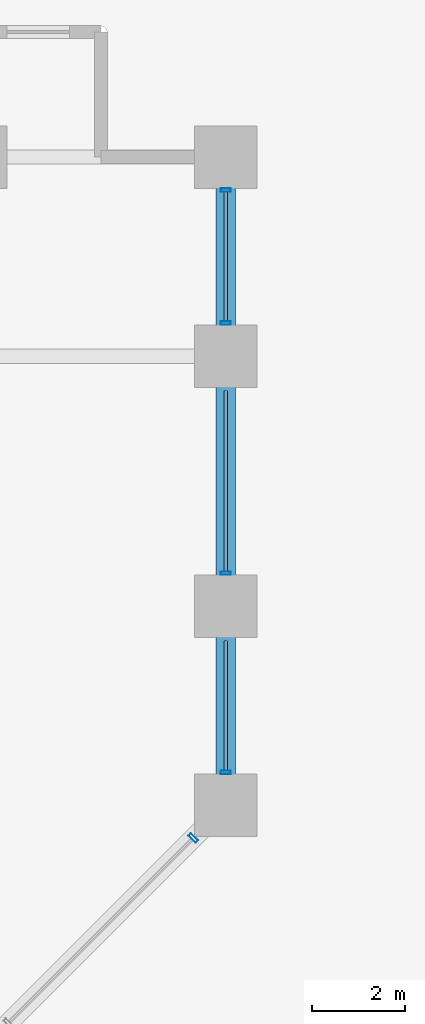
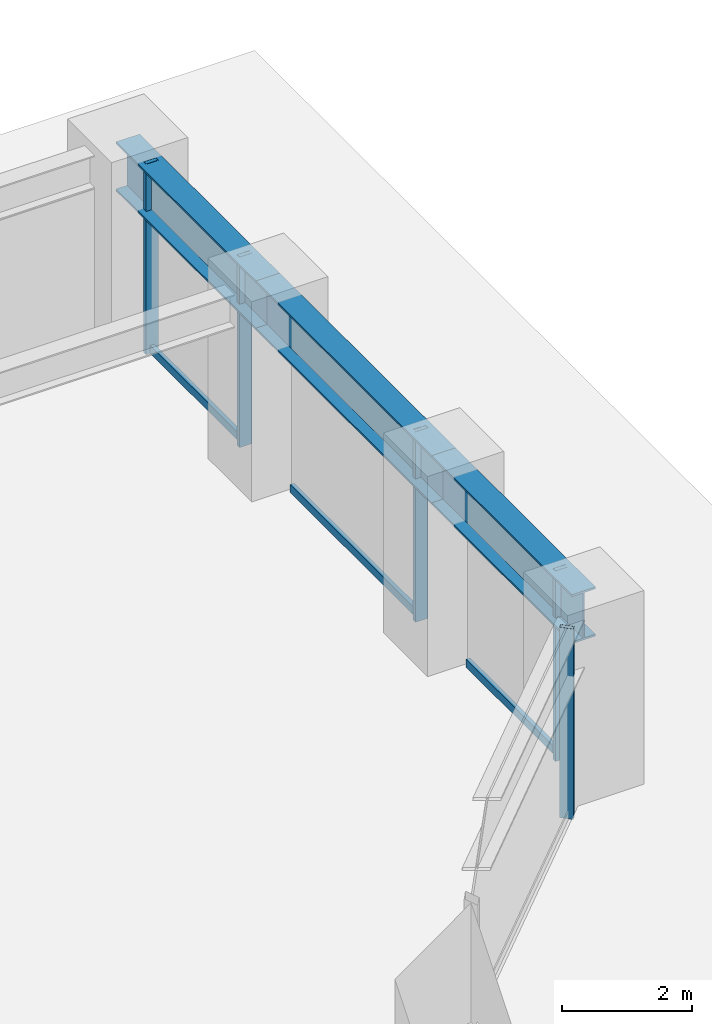
# One storey, part 17 of 27: 8 members, 3 beams, 2 elements without a shape of their own.
"""IFC4 building model written with IfcOpenShell, lengths in metres."""

from ifc_helpers import new_model, si_unit, direction, frame, origin, origin_2d, place, context, subcontext, project, spatial, hollow_rectangle, i_section, extrude, material, layer, layer_set, material_profile, profile_set, type_object, element, aggregate, save


model = new_model("IFC4")

# Units and contexts
model_context = context("Model", 3, precision=1e-05, world=origin(), true_north=direction((0.0, 1.0)))
body_context = subcontext(model_context, "Body", "Model", "MODEL_VIEW")
ifc_project = project(units=[si_unit("LENGTHUNIT", "METRE"), si_unit("AREAUNIT", "SQUARE_METRE"), si_unit("VOLUMEUNIT", "CUBIC_METRE"), si_unit("PLANEANGLEUNIT", "RADIAN"), si_unit("MASSUNIT", "GRAM", prefix="KILO")], contexts=[model_context])

# Site, building, storey
site_placement = place(None, origin())
site = spatial("IfcSite", under=ifc_project, at=site_placement, CompositionType="ELEMENT")
building_placement = place(site_placement, origin())
building = spatial("IfcBuilding", under=site, at=building_placement, Name="Surkhivell Harbour Commons", CompositionType="ELEMENT")
storey_placement = place(building_placement, frame((0.0, 0.0, 22.5)))
storey = spatial("IfcBuildingStorey", under=building, at=storey_placement, Name="L05", CompositionType="ELEMENT", Elevation=22.5)

# Beams
ifc_material_1 = material(Name="Steel S460", Category="steel")
ifc_material_profile_1 = material_profile(ifc_material_1, i_section(OverallWidth=0.419921875, OverallDepth=0.9208984375, WebThickness=0.021484375, FlangeThickness=0.03662109375, at=origin_2d()), Name="UB914x419x388")
ifc_profile_set_1 = profile_set([ifc_material_profile_1], Name="Steel S460")
beam_type = type_object("IfcBeamType", Name="BM-SPN-914A", PredefinedType="SPANDREL", material=ifc_profile_set_1)
beam_1_placement = place(storey_placement, frame((32.39990234375, 6.5, 3.109619140625), z_axis=(0.0, 1.0, 0.0), x_axis=(-1.0, 0.0, 0.0)))
element("IfcBeam", 1, at=beam_1_placement, inside=storey, type_object=beam_type, Name="L05 Tube Spandrel (32.4,6.5)", PredefinedType="SPANDREL", context=body_context, shape_type="SweptSolid", body=[
    extrude(i_section(OverallWidth=0.419921875, OverallDepth=0.9208984375, WebThickness=0.021484375, FlangeThickness=0.03662109375, at=origin_2d()), origin(), (0.0, 0.0, 1.0), 4.300048828125),
])
beam_2_placement = place(storey_placement, frame((32.39990234375, 10.800048828125, 3.109619140625), z_axis=(0.0, 1.0, 0.0), x_axis=(-1.0, 0.0, 0.0)))
element("IfcBeam", 2, at=beam_2_placement, inside=storey, type_object=beam_type, Name="L05 Tube Spandrel (32.4,10.8)", PredefinedType="SPANDREL", context=body_context, shape_type="SweptSolid", body=[
    extrude(i_section(OverallWidth=0.419921875, OverallDepth=0.9208984375, WebThickness=0.021484375, FlangeThickness=0.03662109375, at=origin_2d()), origin(), (0.0, 0.0, 1.0), 5.39990234375),
])
beam_3_placement = place(storey_placement, frame((32.39990234375, 16.199951171875, 3.109619140625), z_axis=(0.0, 1.0, 0.0), x_axis=(-1.0, 0.0, 0.0)))
element("IfcBeam", 3, at=beam_3_placement, inside=storey, type_object=beam_type, Name="L05 Tube Spandrel (32.4,16.2)", PredefinedType="SPANDREL", context=body_context, shape_type="SweptSolid", body=[
    extrude(i_section(OverallWidth=0.419921875, OverallDepth=0.9208984375, WebThickness=0.021484375, FlangeThickness=0.03662109375, at=origin_2d()), origin(), (0.0, 0.0, 1.0), 4.300048828125),
])

# Curtain wall, member
ifc_material_2 = material(Name="Anodised pale-metal aluminium and insulated glazing", Category="aluminium")
ifc_layer = layer(ifc_material_2, 0.219970703125)
ifc_layer_set = layer_set([ifc_layer], Name="Anodised pale-metal aluminium and insulated glazing")
curtain_wall_type = type_object("IfcCurtainWallType", Name="CW-SYS-Z1", PredefinedType="NOTDEFINED", material=ifc_layer_set)
curtain_wall_1_placement = place(storey_placement, origin())
curtain_wall_1 = element("IfcCurtainWall", 4, at=curtain_wall_1_placement, inside=storey, type_object=curtain_wall_type, Name="L05 Curtain Wall CW-L05-E01", PredefinedType="NOTDEFINED")
ifc_material_3 = material(Name="Anodised pale-metal aluminium alloy 6063-T6", Category="aluminium")
ifc_material_profile_2 = material_profile(ifc_material_3, hollow_rectangle(XDim=0.074951171875, YDim=0.219970703125, WallThickness=0.00390625, at=origin_2d()), Name="ALU-MULL-75x220")
ifc_profile_set_2 = profile_set([ifc_material_profile_2], Name="Anodised pale-metal aluminium alloy 6063-T6")
member_type_1 = type_object("IfcMemberType", Name="CWM-220", PredefinedType="MULLION", material=ifc_profile_set_2)
member_1_placement = place(storey_placement, frame((31.69677734375, 5.796630859375, 0.0), z_axis=(0.0, 0.0, 1.0), x_axis=(0.707106781187, 0.707106781187, 0.0)))
member_1 = element("IfcMember", 5, at=member_1_placement, type_object=member_type_1, Name="CW-Z1 mullion 7", PredefinedType="MULLION", context=body_context, shape_type="SweptSolid", body=[
    extrude(hollow_rectangle(XDim=0.074951171875, YDim=0.219970703125, WallThickness=0.00390625, at=origin_2d()), origin(), (0.0, 0.0, 1.0), 3.570068359375),
])
aggregate(curtain_wall_1, [member_1])

# Curtain wall, members
curtain_wall_2_placement = place(storey_placement, origin())
curtain_wall_2 = element("IfcCurtainWall", 6, at=curtain_wall_2_placement, inside=storey, type_object=curtain_wall_type, Name="L05 Curtain Wall CW-L05-E02", PredefinedType="NOTDEFINED")
member_2_placement = place(storey_placement, frame((32.39990234375, 7.214599609375, 0.0), z_axis=(0.0, 0.0, 1.0), x_axis=(0.0, 1.0, 0.0)))
member_2 = element("IfcMember", 7, at=member_2_placement, type_object=member_type_1, Name="CW-Z1 mullion 1", PredefinedType="MULLION", context=body_context, shape_type="SweptSolid", body=[
    extrude(hollow_rectangle(XDim=0.074951171875, YDim=0.219970703125, WallThickness=0.00390625, at=origin_2d()), origin(), (0.0, 0.0, 1.0), 3.570068359375),
])
member_3_placement = place(storey_placement, frame((32.39990234375, 11.514404296875, 0.0), z_axis=(0.0, 0.0, 1.0), x_axis=(0.0, 1.0, 0.0)))
member_3 = element("IfcMember", 8, at=member_3_placement, type_object=member_type_1, Name="CW-Z1 mullion 2", PredefinedType="MULLION", context=body_context, shape_type="SweptSolid", body=[
    extrude(hollow_rectangle(XDim=0.074951171875, YDim=0.219970703125, WallThickness=0.00390625, at=origin_2d()), origin(), (0.0, 0.0, 1.0), 3.570068359375),
])
member_4_placement = place(storey_placement, frame((32.39990234375, 16.91455078125, 0.0), z_axis=(0.0, 0.0, 1.0), x_axis=(0.0, 1.0, 0.0)))
member_4 = element("IfcMember", 9, at=member_4_placement, type_object=member_type_1, Name="CW-Z1 mullion 3", PredefinedType="MULLION", context=body_context, shape_type="SweptSolid", body=[
    extrude(hollow_rectangle(XDim=0.074951171875, YDim=0.219970703125, WallThickness=0.00390625, at=origin_2d()), origin(), (0.0, 0.0, 1.0), 3.570068359375),
])
member_5_placement = place(storey_placement, frame((32.39990234375, 19.785400390625, 0.0), z_axis=(0.0, 0.0, 1.0), x_axis=(0.0, 1.0, 0.0)))
member_5 = element("IfcMember", 10, at=member_5_placement, type_object=member_type_1, Name="CW-Z1 mullion 4", PredefinedType="MULLION", context=body_context, shape_type="SweptSolid", body=[
    extrude(hollow_rectangle(XDim=0.074951171875, YDim=0.219970703125, WallThickness=0.00390625, at=origin_2d()), origin(), (0.0, 0.0, 1.0), 3.570068359375),
])
ifc_material_profile_3 = material_profile(ifc_material_3, hollow_rectangle(XDim=0.074951171875, YDim=0.14990234375, WallThickness=0.00341796875, at=origin_2d()), Name="ALU-TRAN-75x150")
ifc_profile_set_3 = profile_set([ifc_material_profile_3], Name="Anodised pale-metal aluminium alloy 6063-T6")
member_type_2 = type_object("IfcMemberType", Name="CWT-150", PredefinedType="USERDEFINED", material=ifc_profile_set_3)
member_6_placement = place(storey_placement, frame((32.39990234375, 7.251953125, 0.074951171875), z_axis=(0.0, 1.0, 0.0), x_axis=(-1.0, 0.0, 0.0)))
member_6 = element("IfcMember", 11, at=member_6_placement, type_object=member_type_2, Name="CW-Z1 transom 1.1", ObjectType="TRANSOM", PredefinedType="USERDEFINED", context=body_context, shape_type="SweptSolid", body=[
    extrude(hollow_rectangle(XDim=0.074951171875, YDim=0.14990234375, WallThickness=0.00341796875, at=origin_2d()), origin(), (0.0, 0.0, 1.0), 2.796142578125),
])
member_7_placement = place(storey_placement, frame((32.39990234375, 11.552001953125, 0.074951171875), z_axis=(0.0, 1.0, 0.0), x_axis=(-1.0, 0.0, 0.0)))
member_7 = element("IfcMember", 12, at=member_7_placement, type_object=member_type_2, Name="CW-Z1 transom 2.1", ObjectType="TRANSOM", PredefinedType="USERDEFINED", context=body_context, shape_type="SweptSolid", body=[
    extrude(hollow_rectangle(XDim=0.074951171875, YDim=0.14990234375, WallThickness=0.00341796875, at=origin_2d()), origin(), (0.0, 0.0, 1.0), 3.89599609375),
])
member_8_placement = place(storey_placement, frame((32.39990234375, 16.951904296875, 0.074951171875), z_axis=(0.0, 1.0, 0.0), x_axis=(-1.0, 0.0, 0.0)))
member_8 = element("IfcMember", 13, at=member_8_placement, type_object=member_type_2, Name="CW-Z1 transom 3.1", ObjectType="TRANSOM", PredefinedType="USERDEFINED", context=body_context, shape_type="SweptSolid", body=[
    extrude(hollow_rectangle(XDim=0.074951171875, YDim=0.14990234375, WallThickness=0.00341796875, at=origin_2d()), origin(), (0.0, 0.0, 1.0), 2.796142578125),
])
aggregate(curtain_wall_2, [member_2, member_6, member_3, member_7, member_4, member_5, member_8])

save(model, "model.ifc")
